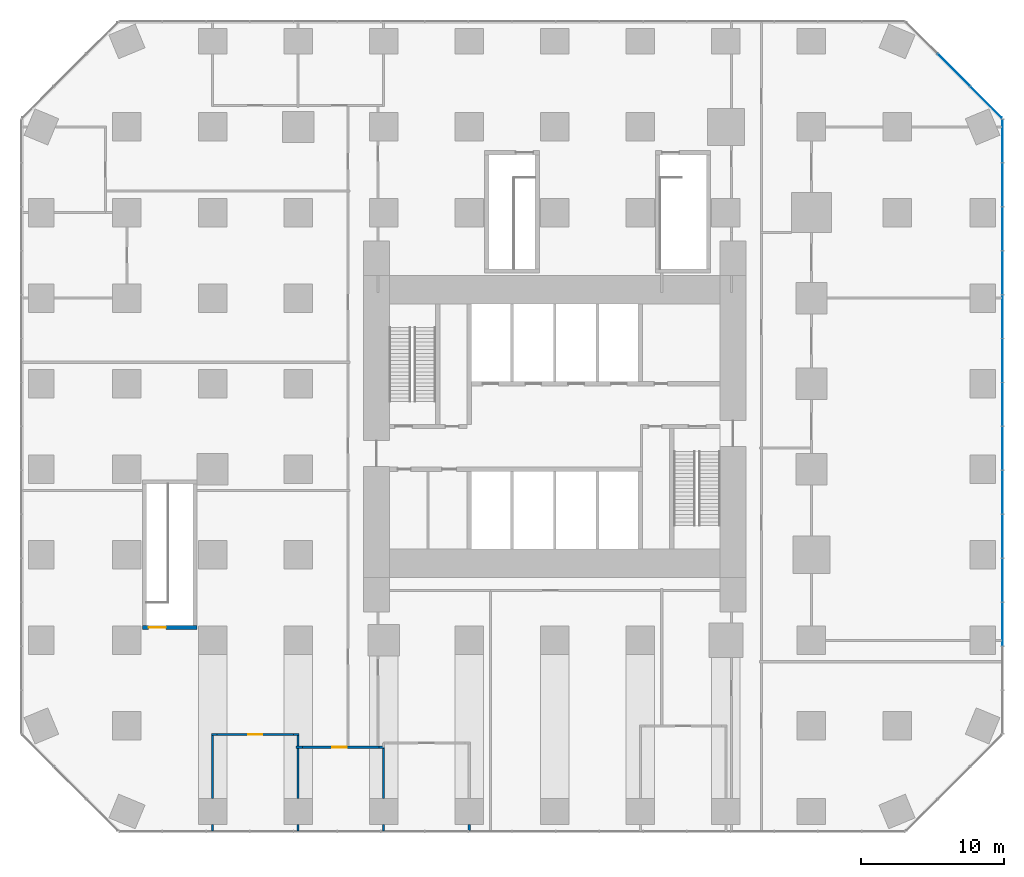
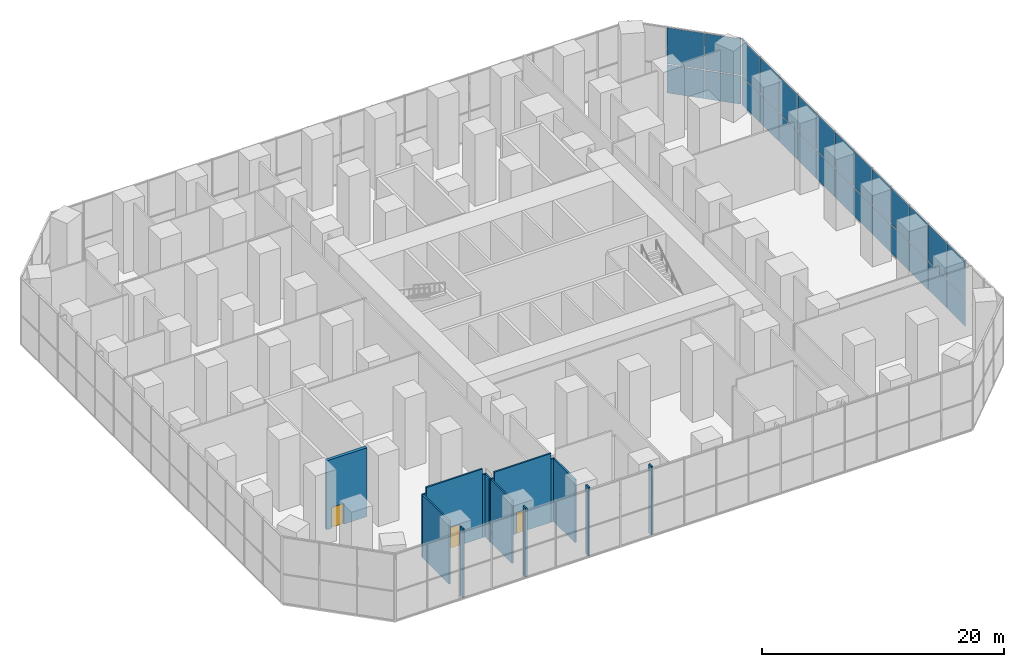
# One storey, part 11 of 16: 28 plates, 15 walls, 3 doors, 3 openings, 2 elements without a shape of their own.
"""IFC4 building model written with IfcOpenShell, lengths in metres."""

from ifc_helpers import new_model, si_unit, direction, frame, frame_2d, origin, origin_2d, place, context, subcontext, project, spatial, rectangle, extrude, material, layer, layer_set, type_object, element, fill, aggregate, save


model = new_model("IFC4")

# Units and contexts
model_context = context("Model", 3, precision=1e-05, world=origin(), true_north=direction((0.0, 1.0)))
body_context = subcontext(model_context, "Body", "Model", "MODEL_VIEW")
ifc_project = project(units=[si_unit("LENGTHUNIT", "METRE"), si_unit("AREAUNIT", "SQUARE_METRE"), si_unit("VOLUMEUNIT", "CUBIC_METRE"), si_unit("PLANEANGLEUNIT", "RADIAN"), si_unit("MASSUNIT", "GRAM", prefix="KILO")], contexts=[model_context])

# Site, building, storey
site_placement = place(None, origin())
site = spatial("IfcSite", under=ifc_project, at=site_placement, CompositionType="ELEMENT")
building_placement = place(site_placement, origin())
building = spatial("IfcBuilding", under=site, at=building_placement, Name="Highveld Stack Headquarters", CompositionType="ELEMENT")
storey_placement = place(building_placement, frame((0.0, 0.0, 11.0)))
storey = spatial("IfcBuildingStorey", under=building, at=storey_placement, Name="L02", CompositionType="ELEMENT", Elevation=11.0)

# Curtain wall, plates
ifc_material_1 = material(Name="Aluminium bronze anodised", Category="aluminium")
ifc_layer_1 = layer(ifc_material_1, 0.199951171875)
ifc_layer_set_1 = layer_set([ifc_layer_1], Name="Aluminium bronze anodised")
curtain_wall_type = type_object("IfcCurtainWallType", Name="CW3 PODIUM STICK CURTAIN WALL", PredefinedType="NOTDEFINED", material=ifc_layer_set_1)
curtain_wall_1_placement = place(storey_placement, origin())
curtain_wall_1 = element("IfcCurtainWall", 1, at=curtain_wall_1_placement, inside=storey, type_object=curtain_wall_type, Name="Curtain wall CW3 L02 E", PredefinedType="NOTDEFINED")
ifc_material_2 = material(Name="Glass clear low-iron double glazed unit", Category="glass")
ifc_layer_2 = layer(ifc_material_2, 0.035888671875)
ifc_layer_set_2 = layer_set([ifc_layer_2], Name="Glass clear low-iron double glazed unit")
plate_type = type_object("IfcPlateType", Name="CW3 PANEL CLEAR LOW-IRON DOUBLE GLAZED UNIT", PredefinedType="CURTAIN_PANEL", material=ifc_layer_set_2)
plate_1_placement = place(storey_placement, frame((37.39990234375, -10.872802734375, 0.099853515625), z_axis=(0.0, 0.0, 1.0), x_axis=(0.0, 1.0, 0.0)))
plate_1 = element("IfcPlate", 2, at=plate_1_placement, type_object=plate_type, Name="CW3 panel L02 3.1", PredefinedType="CURTAIN_PANEL", context=body_context, shape_type="SweptSolid", body=[
    extrude(rectangle(XDim=3.017822265625, YDim=0.035888671875, at=origin_2d()), origin(), (0.0, 0.0, 1.0), 2.85009765625),
])
plate_2_placement = place(storey_placement, frame((37.39990234375, -10.872802734375, 3.050048828125), z_axis=(0.0, 0.0, 1.0), x_axis=(0.0, 1.0, 0.0)))
plate_2 = element("IfcPlate", 3, at=plate_2_placement, type_object=plate_type, Name="CW3 panel L02 3.2", PredefinedType="CURTAIN_PANEL", context=body_context, shape_type="SweptSolid", body=[
    extrude(rectangle(XDim=3.017822265625, YDim=0.035888671875, at=origin_2d()), origin(), (0.0, 0.0, 1.0), 3.64990234375),
])
plate_3_placement = place(storey_placement, frame((37.39990234375, -7.789794921875, 0.099853515625), z_axis=(0.0, 0.0, 1.0), x_axis=(0.0, 1.0, 0.0)))
plate_3 = element("IfcPlate", 4, at=plate_3_placement, type_object=plate_type, Name="CW3 panel L02 4.1", PredefinedType="CURTAIN_PANEL", context=body_context, shape_type="SweptSolid", body=[
    extrude(rectangle(XDim=3.017822265625, YDim=0.035888671875, at=origin_2d()), origin(), (0.0, 0.0, 1.0), 2.85009765625),
])
plate_4_placement = place(storey_placement, frame((37.39990234375, -7.789794921875, 3.050048828125), z_axis=(0.0, 0.0, 1.0), x_axis=(0.0, 1.0, 0.0)))
plate_4 = element("IfcPlate", 5, at=plate_4_placement, type_object=plate_type, Name="CW3 panel L02 4.2", PredefinedType="CURTAIN_PANEL", context=body_context, shape_type="SweptSolid", body=[
    extrude(rectangle(XDim=3.017822265625, YDim=0.035888671875, at=origin_2d()), origin(), (0.0, 0.0, 1.0), 3.64990234375),
])
plate_5_placement = place(storey_placement, frame((37.39990234375, -4.70703125, 0.099853515625), z_axis=(0.0, 0.0, 1.0), x_axis=(0.0, 1.0, 0.0)))
plate_5 = element("IfcPlate", 6, at=plate_5_placement, type_object=plate_type, Name="CW3 panel L02 5.1", PredefinedType="CURTAIN_PANEL", context=body_context, shape_type="SweptSolid", body=[
    extrude(rectangle(XDim=3.017822265625, YDim=0.035888671875, at=origin_2d()), origin(), (0.0, 0.0, 1.0), 2.85009765625),
])
plate_6_placement = place(storey_placement, frame((37.39990234375, -4.70703125, 3.050048828125), z_axis=(0.0, 0.0, 1.0), x_axis=(0.0, 1.0, 0.0)))
plate_6 = element("IfcPlate", 7, at=plate_6_placement, type_object=plate_type, Name="CW3 panel L02 5.2", PredefinedType="CURTAIN_PANEL", context=body_context, shape_type="SweptSolid", body=[
    extrude(rectangle(XDim=3.017822265625, YDim=0.035888671875, at=origin_2d()), origin(), (0.0, 0.0, 1.0), 3.64990234375),
])
plate_7_placement = place(storey_placement, frame((37.39990234375, -1.624267578125, 0.099853515625), z_axis=(0.0, 0.0, 1.0), x_axis=(0.0, 1.0, 0.0)))
plate_7 = element("IfcPlate", 8, at=plate_7_placement, type_object=plate_type, Name="CW3 panel L02 6.1", PredefinedType="CURTAIN_PANEL", context=body_context, shape_type="SweptSolid", body=[
    extrude(rectangle(XDim=3.017822265625, YDim=0.035888671875, at=origin_2d()), origin(), (0.0, 0.0, 1.0), 2.85009765625),
])
plate_8_placement = place(storey_placement, frame((37.39990234375, -1.624267578125, 3.050048828125), z_axis=(0.0, 0.0, 1.0), x_axis=(0.0, 1.0, 0.0)))
plate_8 = element("IfcPlate", 9, at=plate_8_placement, type_object=plate_type, Name="CW3 panel L02 6.2", PredefinedType="CURTAIN_PANEL", context=body_context, shape_type="SweptSolid", body=[
    extrude(rectangle(XDim=3.017822265625, YDim=0.035888671875, at=origin_2d()), origin(), (0.0, 0.0, 1.0), 3.64990234375),
])
plate_9_placement = place(storey_placement, frame((37.39990234375, 1.45849609375, 0.099853515625), z_axis=(0.0, 0.0, 1.0), x_axis=(0.0, 1.0, 0.0)))
plate_9 = element("IfcPlate", 10, at=plate_9_placement, type_object=plate_type, Name="CW3 panel L02 7.1", PredefinedType="CURTAIN_PANEL", context=body_context, shape_type="SweptSolid", body=[
    extrude(rectangle(XDim=3.017822265625, YDim=0.035888671875, at=origin_2d()), origin(), (0.0, 0.0, 1.0), 2.85009765625),
])
plate_10_placement = place(storey_placement, frame((37.39990234375, 1.45849609375, 3.050048828125), z_axis=(0.0, 0.0, 1.0), x_axis=(0.0, 1.0, 0.0)))
plate_10 = element("IfcPlate", 11, at=plate_10_placement, type_object=plate_type, Name="CW3 panel L02 7.2", PredefinedType="CURTAIN_PANEL", context=body_context, shape_type="SweptSolid", body=[
    extrude(rectangle(XDim=3.017822265625, YDim=0.035888671875, at=origin_2d()), origin(), (0.0, 0.0, 1.0), 3.64990234375),
])
plate_11_placement = place(storey_placement, frame((37.39990234375, 4.54150390625, 0.099853515625), z_axis=(0.0, 0.0, 1.0), x_axis=(0.0, 1.0, 0.0)))
plate_11 = element("IfcPlate", 12, at=plate_11_placement, type_object=plate_type, Name="CW3 panel L02 8.1", PredefinedType="CURTAIN_PANEL", context=body_context, shape_type="SweptSolid", body=[
    extrude(rectangle(XDim=3.017822265625, YDim=0.035888671875, at=origin_2d()), origin(), (0.0, 0.0, 1.0), 2.85009765625),
])
plate_12_placement = place(storey_placement, frame((37.39990234375, 4.54150390625, 3.050048828125), z_axis=(0.0, 0.0, 1.0), x_axis=(0.0, 1.0, 0.0)))
plate_12 = element("IfcPlate", 13, at=plate_12_placement, type_object=plate_type, Name="CW3 panel L02 8.2", PredefinedType="CURTAIN_PANEL", context=body_context, shape_type="SweptSolid", body=[
    extrude(rectangle(XDim=3.017822265625, YDim=0.035888671875, at=origin_2d()), origin(), (0.0, 0.0, 1.0), 3.64990234375),
])
plate_13_placement = place(storey_placement, frame((37.39990234375, 7.624267578125, 0.099853515625), z_axis=(0.0, 0.0, 1.0), x_axis=(0.0, 1.0, 0.0)))
plate_13 = element("IfcPlate", 14, at=plate_13_placement, type_object=plate_type, Name="CW3 panel L02 9.1", PredefinedType="CURTAIN_PANEL", context=body_context, shape_type="SweptSolid", body=[
    extrude(rectangle(XDim=3.017822265625, YDim=0.035888671875, at=origin_2d()), origin(), (0.0, 0.0, 1.0), 2.85009765625),
])
plate_14_placement = place(storey_placement, frame((37.39990234375, 7.624267578125, 3.050048828125), z_axis=(0.0, 0.0, 1.0), x_axis=(0.0, 1.0, 0.0)))
plate_14 = element("IfcPlate", 15, at=plate_14_placement, type_object=plate_type, Name="CW3 panel L02 9.2", PredefinedType="CURTAIN_PANEL", context=body_context, shape_type="SweptSolid", body=[
    extrude(rectangle(XDim=3.017822265625, YDim=0.035888671875, at=origin_2d()), origin(), (0.0, 0.0, 1.0), 3.64990234375),
])
plate_15_placement = place(storey_placement, frame((37.39990234375, 10.70703125, 0.099853515625), z_axis=(0.0, 0.0, 1.0), x_axis=(0.0, 1.0, 0.0)))
plate_15 = element("IfcPlate", 16, at=plate_15_placement, type_object=plate_type, Name="CW3 panel L02 10.1", PredefinedType="CURTAIN_PANEL", context=body_context, shape_type="SweptSolid", body=[
    extrude(rectangle(XDim=3.017822265625, YDim=0.035888671875, at=origin_2d()), origin(), (0.0, 0.0, 1.0), 2.85009765625),
])
plate_16_placement = place(storey_placement, frame((37.39990234375, 10.70703125, 3.050048828125), z_axis=(0.0, 0.0, 1.0), x_axis=(0.0, 1.0, 0.0)))
plate_16 = element("IfcPlate", 17, at=plate_16_placement, type_object=plate_type, Name="CW3 panel L02 10.2", PredefinedType="CURTAIN_PANEL", context=body_context, shape_type="SweptSolid", body=[
    extrude(rectangle(XDim=3.017822265625, YDim=0.035888671875, at=origin_2d()), origin(), (0.0, 0.0, 1.0), 3.64990234375),
])
plate_17_placement = place(storey_placement, frame((37.39990234375, 13.7900390625, 0.099853515625), z_axis=(0.0, 0.0, 1.0), x_axis=(0.0, 1.0, 0.0)))
plate_17 = element("IfcPlate", 18, at=plate_17_placement, type_object=plate_type, Name="CW3 panel L02 11.1", PredefinedType="CURTAIN_PANEL", context=body_context, shape_type="SweptSolid", body=[
    extrude(rectangle(XDim=3.017822265625, YDim=0.035888671875, at=origin_2d()), origin(), (0.0, 0.0, 1.0), 2.85009765625),
])
plate_18_placement = place(storey_placement, frame((37.39990234375, 13.7900390625, 3.050048828125), z_axis=(0.0, 0.0, 1.0), x_axis=(0.0, 1.0, 0.0)))
plate_18 = element("IfcPlate", 19, at=plate_18_placement, type_object=plate_type, Name="CW3 panel L02 11.2", PredefinedType="CURTAIN_PANEL", context=body_context, shape_type="SweptSolid", body=[
    extrude(rectangle(XDim=3.017822265625, YDim=0.035888671875, at=origin_2d()), origin(), (0.0, 0.0, 1.0), 3.64990234375),
])
plate_19_placement = place(storey_placement, frame((37.39990234375, 16.872802734375, 0.099853515625), z_axis=(0.0, 0.0, 1.0), x_axis=(0.0, 1.0, 0.0)))
plate_19 = element("IfcPlate", 20, at=plate_19_placement, type_object=plate_type, Name="CW3 panel L02 12.1", PredefinedType="CURTAIN_PANEL", context=body_context, shape_type="SweptSolid", body=[
    extrude(rectangle(XDim=3.017822265625, YDim=0.035888671875, at=origin_2d()), origin(), (0.0, 0.0, 1.0), 2.85009765625),
])
plate_20_placement = place(storey_placement, frame((37.39990234375, 16.872802734375, 3.050048828125), z_axis=(0.0, 0.0, 1.0), x_axis=(0.0, 1.0, 0.0)))
plate_20 = element("IfcPlate", 21, at=plate_20_placement, type_object=plate_type, Name="CW3 panel L02 12.2", PredefinedType="CURTAIN_PANEL", context=body_context, shape_type="SweptSolid", body=[
    extrude(rectangle(XDim=3.017822265625, YDim=0.035888671875, at=origin_2d()), origin(), (0.0, 0.0, 1.0), 3.64990234375),
])
plate_21_placement = place(storey_placement, frame((37.39990234375, 19.95556640625, 0.099853515625), z_axis=(0.0, 0.0, 1.0), x_axis=(0.0, 1.0, 0.0)))
plate_21 = element("IfcPlate", 22, at=plate_21_placement, type_object=plate_type, Name="CW3 panel L02 13.1", PredefinedType="CURTAIN_PANEL", context=body_context, shape_type="SweptSolid", body=[
    extrude(rectangle(XDim=3.017822265625, YDim=0.035888671875, at=origin_2d()), origin(), (0.0, 0.0, 1.0), 2.85009765625),
])
plate_22_placement = place(storey_placement, frame((37.39990234375, 19.95556640625, 3.050048828125), z_axis=(0.0, 0.0, 1.0), x_axis=(0.0, 1.0, 0.0)))
plate_22 = element("IfcPlate", 23, at=plate_22_placement, type_object=plate_type, Name="CW3 panel L02 13.2", PredefinedType="CURTAIN_PANEL", context=body_context, shape_type="SweptSolid", body=[
    extrude(rectangle(XDim=3.017822265625, YDim=0.035888671875, at=origin_2d()), origin(), (0.0, 0.0, 1.0), 3.64990234375),
])
plate_23_placement = place(storey_placement, frame((37.39990234375, 23.022216796875, 0.099853515625), z_axis=(0.0, 0.0, 1.0), x_axis=(0.0, 1.0, 0.0)))
plate_23 = element("IfcPlate", 24, at=plate_23_placement, type_object=plate_type, Name="CW3 panel L02 14.1", PredefinedType="CURTAIN_PANEL", context=body_context, shape_type="SweptSolid", body=[
    extrude(rectangle(XDim=2.9853515625, YDim=0.035888671875, at=origin_2d()), origin(), (0.0, 0.0, 1.0), 2.85009765625),
])
plate_24_placement = place(storey_placement, frame((37.39990234375, 23.022216796875, 3.050048828125), z_axis=(0.0, 0.0, 1.0), x_axis=(0.0, 1.0, 0.0)))
plate_24 = element("IfcPlate", 25, at=plate_24_placement, type_object=plate_type, Name="CW3 panel L02 14.2", PredefinedType="CURTAIN_PANEL", context=body_context, shape_type="SweptSolid", body=[
    extrude(rectangle(XDim=2.9853515625, YDim=0.035888671875, at=origin_2d()), origin(), (0.0, 0.0, 1.0), 3.64990234375),
])
aggregate(curtain_wall_1, [plate_1, plate_2, plate_3, plate_4, plate_5, plate_6, plate_7, plate_8, plate_9, plate_10, plate_11, plate_12, plate_13, plate_14, plate_15, plate_16, plate_17, plate_18, plate_19, plate_20, plate_21, plate_22, plate_23, plate_24])

curtain_wall_2_placement = place(storey_placement, origin())
curtain_wall_2 = element("IfcCurtainWall", 26, at=curtain_wall_2_placement, inside=storey, type_object=curtain_wall_type, Name="Curtain wall CW3 L02 NE", PredefinedType="NOTDEFINED")
plate_25_placement = place(storey_placement, frame((36.239501953125, 25.740478515625, 0.099853515625), z_axis=(0.0, 0.0, 1.0), x_axis=(-0.707106781187, 0.707106781187, 0.0)))
plate_25 = element("IfcPlate", 27, at=plate_25_placement, type_object=plate_type, Name="CW3 panel L02 1.1", PredefinedType="CURTAIN_PANEL", context=body_context, shape_type="SweptSolid", body=[
    extrude(rectangle(XDim=3.08251953125, YDim=0.035888671875, at=origin_2d()), origin(), (0.0, 0.0, 1.0), 2.85009765625),
])
plate_26_placement = place(storey_placement, frame((36.239501953125, 25.740478515625, 3.050048828125), z_axis=(0.0, 0.0, 1.0), x_axis=(-0.707106781187, 0.707106781187, 0.0)))
plate_26 = element("IfcPlate", 28, at=plate_26_placement, type_object=plate_type, Name="CW3 panel L02 1.2", PredefinedType="CURTAIN_PANEL", context=body_context, shape_type="SweptSolid", body=[
    extrude(rectangle(XDim=3.08251953125, YDim=0.035888671875, at=origin_2d()), origin(), (0.0, 0.0, 1.0), 3.64990234375),
])
plate_27_placement = place(storey_placement, frame((33.989990234375, 27.989990234375, 0.099853515625), z_axis=(0.0, 0.0, 1.0), x_axis=(-0.707106781187, 0.707106781187, 0.0)))
plate_27 = element("IfcPlate", 29, at=plate_27_placement, type_object=plate_type, Name="CW3 panel L02 2.1", PredefinedType="CURTAIN_PANEL", context=body_context, shape_type="SweptSolid", body=[
    extrude(rectangle(XDim=3.14990234375, YDim=0.035888671875, at=origin_2d()), origin(), (0.0, 0.0, 1.0), 2.85009765625),
])
plate_28_placement = place(storey_placement, frame((33.989990234375, 27.989990234375, 3.050048828125), z_axis=(0.0, 0.0, 1.0), x_axis=(-0.707106781187, 0.707106781187, 0.0)))
plate_28 = element("IfcPlate", 30, at=plate_28_placement, type_object=plate_type, Name="CW3 panel L02 2.2", PredefinedType="CURTAIN_PANEL", context=body_context, shape_type="SweptSolid", body=[
    extrude(rectangle(XDim=3.14990234375, YDim=0.035888671875, at=origin_2d()), origin(), (0.0, 0.0, 1.0), 3.64990234375),
])
aggregate(curtain_wall_2, [plate_25, plate_26, plate_27, plate_28])

# Wall
ifc_material_3 = material(Name="Laminated glass in aluminium frame", Category="aluminium")
ifc_layer_3 = layer(ifc_material_3, 0.14990234375)
ifc_layer_set_3 = layer_set([ifc_layer_3], Name="Laminated glass in aluminium frame")
wall_type_1 = type_object("IfcWallType", Name="GLAZED PARTITION 150", PredefinedType="PARTITIONING", material=ifc_layer_set_3)
wall_1_placement = place(storey_placement, frame((-18.074951171875, -18.60009765625, 0.0), z_axis=(0.0, 0.0, 1.0), x_axis=(1.0, 0.0, 0.0)))
element("IfcWall", 31, at=wall_1_placement, inside=storey, type_object=wall_type_1, Name="Glazed partition Video conference room L02", PredefinedType="PARTITIONING", context=body_context, shape_type="SweptSolid", body=[
    extrude(rectangle(XDim=0.385009765625, YDim=0.14990234375, at=frame_2d((0.1923828125, 0.0))), origin(), (0.0, 0.0, 1.0), 6.35009765625),
])

# Wall, opening, door
wall_2_placement = place(storey_placement, frame((-17.68994140625, -18.60009765625, 0.0), z_axis=(0.0, 0.0, 1.0), x_axis=(1.0, 0.0, 0.0)))
wall_2 = element("IfcWall", 32, at=wall_2_placement, inside=storey, type_object=wall_type_1, Name="Glazed partition Video conference room L02", PredefinedType="PARTITIONING", context=body_context, shape_type="SweptSolid", body=[
    extrude(rectangle(XDim=5.3798828125, YDim=0.14990234375, at=frame_2d((2.68994140625, 0.0))), origin(), (0.0, 0.0, 1.0), 6.949951171875),
])
opening_1_placement = place(wall_2_placement, frame((2.18994140625, 0.0, 0.0)))
opening_1 = element("IfcOpeningElement", 33, at=opening_1_placement, cuts=wall_2, Name="Opening L02-17", PredefinedType="OPENING", context=body_context, shape_type="SweptSolid", body=[
    extrude(rectangle(XDim=1.0, YDim=2.10009765625, at=frame_2d((0.5, 1.050048828125))), frame((0.0, 0.0849609375, 0.0), z_axis=(0.0, -1.0, 0.0), x_axis=(1.0, 0.0, 0.0)), (0.0, 0.0, 1.0), 0.169921875),
])
ifc_material_4 = material(Name="Timber door, oiled ash", Category="wood")
door_type_1 = type_object("IfcDoorType", Name="ROOM DOOR D6 1000x2100", OperationType="SINGLE_SWING_LEFT", PredefinedType="DOOR", material=ifc_material_4)
door_1_placement = place(opening_1_placement, origin())
door_1 = element("IfcDoor", 34, at=door_1_placement, inside=storey, type_object=door_type_1, Name="Video conference room door 1 L02", OperationType="SINGLE_SWING_LEFT", OverallHeight=2.10009765625, OverallWidth=1.0, PredefinedType="DOOR", context=body_context, shape_type="SweptSolid", body=[
    extrude(rectangle(XDim=1.0, YDim=2.10009765625, at=frame_2d((0.5, 1.050048828125))), frame((0.0, 0.02490234375, 0.0), z_axis=(0.0, -1.0, 0.0), x_axis=(1.0, 0.0, 0.0)), (0.0, 0.0, 1.0), 0.050048828125),
])
fill(opening_1, door_1)

# Walls
wall_3_placement = place(storey_placement, frame((-12.31005859375, -18.60009765625, 0.0), z_axis=(0.0, 0.0, 1.0), x_axis=(1.0, 0.0, 0.0)))
element("IfcWall", 35, at=wall_3_placement, inside=storey, type_object=wall_type_1, Name="Glazed partition Video conference room L02", PredefinedType="PARTITIONING", context=body_context, shape_type="SweptSolid", body=[
    extrude(rectangle(XDim=0.385009765625, YDim=0.14990234375, at=frame_2d((0.1923828125, 0.0))), origin(), (0.0, 0.0, 1.0), 6.35009765625),
])
ifc_material_5 = material(Name="Gypsum plasterboard on steel studs", Category="steel")
ifc_layer_4 = layer(ifc_material_5, 0.14990234375)
ifc_layer_set_4 = layer_set([ifc_layer_4], Name="Gypsum plasterboard on steel studs")
wall_type_2 = type_object("IfcWallType", Name="PARTITION 150 PLASTERBOARD", PredefinedType="PARTITIONING", material=ifc_layer_set_4)
wall_4_placement = place(storey_placement, frame((-12.14990234375, -19.5, 0.0), z_axis=(0.0, 0.0, 1.0), x_axis=(1.0, 0.0, 0.0)))
element("IfcWall", 36, at=wall_4_placement, inside=storey, type_object=wall_type_2, Name="Partition Quiet room L02", PredefinedType="PARTITIONING", context=body_context, shape_type="SweptSolid", body=[
    extrude(rectangle(XDim=0.4599609375, YDim=0.14990234375, at=frame_2d((0.22998046875, 0.0))), origin(), (0.0, 0.0, 1.0), 6.35009765625),
])

# Wall, opening, door
wall_5_placement = place(storey_placement, frame((-11.68994140625, -19.5, 0.0), z_axis=(0.0, 0.0, 1.0), x_axis=(1.0, 0.0, 0.0)))
wall_5 = element("IfcWall", 37, at=wall_5_placement, inside=storey, type_object=wall_type_2, Name="Partition Quiet room L02", PredefinedType="PARTITIONING", context=body_context, shape_type="SweptSolid", body=[
    extrude(rectangle(XDim=5.3798828125, YDim=0.14990234375, at=frame_2d((2.68994140625, 0.0))), origin(), (0.0, 0.0, 1.0), 6.949951171875),
])
opening_2_placement = place(wall_5_placement, frame((2.10009765625, 0.0, 0.0)))
opening_2 = element("IfcOpeningElement", 38, at=opening_2_placement, cuts=wall_5, Name="Opening L02-18", PredefinedType="OPENING", context=body_context, shape_type="SweptSolid", body=[
    extrude(rectangle(XDim=1.0, YDim=2.10009765625, at=frame_2d((0.5, 1.050048828125))), frame((0.0, 0.0849609375, 0.0), z_axis=(0.0, -1.0, 0.0), x_axis=(1.0, 0.0, 0.0)), (0.0, 0.0, 1.0), 0.169921875),
])
door_2_placement = place(opening_2_placement, origin())
door_2 = element("IfcDoor", 39, at=door_2_placement, inside=storey, type_object=door_type_1, Name="Quiet room door 1 L02", OperationType="SINGLE_SWING_LEFT", OverallHeight=2.10009765625, OverallWidth=1.0, PredefinedType="DOOR", context=body_context, shape_type="SweptSolid", body=[
    extrude(rectangle(XDim=1.0, YDim=2.10009765625, at=frame_2d((0.5, 1.050048828125))), frame((0.0, 0.02490234375, 0.0), z_axis=(0.0, -1.0, 0.0), x_axis=(1.0, 0.0, 0.0)), (0.0, 0.0, 1.0), 0.050048828125),
])
fill(opening_2, door_2)

# Walls
wall_6_placement = place(storey_placement, frame((-6.31005859375, -19.5, 0.0), z_axis=(0.0, 0.0, 1.0), x_axis=(1.0, 0.0, 0.0)))
element("IfcWall", 40, at=wall_6_placement, inside=storey, type_object=wall_type_2, Name="Partition Quiet room L02", PredefinedType="PARTITIONING", context=body_context, shape_type="SweptSolid", body=[
    extrude(rectangle(XDim=0.385009765625, YDim=0.14990234375, at=frame_2d((0.1923828125, 0.0))), origin(), (0.0, 0.0, 1.0), 6.35009765625),
])
wall_7_placement = place(storey_placement, frame((-18.0, -25.375, 0.0), z_axis=(0.0, 0.0, 1.0), x_axis=(0.0, 1.0, 0.0)))
element("IfcWall", 41, at=wall_7_placement, inside=storey, type_object=wall_type_2, Name="Partition Video conference room L02", PredefinedType="PARTITIONING", context=body_context, shape_type="SweptSolid", body=[
    extrude(rectangle(XDim=0.47509765625, YDim=0.14990234375, at=frame_2d((0.237548828125, 0.0))), origin(), (0.0, 0.0, 1.0), 6.949951171875),
])
wall_8_placement = place(storey_placement, frame((-18.0, -23.10009765625, 0.0), z_axis=(0.0, 0.0, 1.0), x_axis=(0.0, 1.0, 0.0)))
element("IfcWall", 42, at=wall_8_placement, inside=storey, type_object=wall_type_2, Name="Partition Video conference room L02", PredefinedType="PARTITIONING", context=body_context, shape_type="SweptSolid", body=[
    extrude(rectangle(XDim=4.425048828125, YDim=0.14990234375, at=frame_2d((2.21240234375, 0.0))), origin(), (0.0, 0.0, 1.0), 6.35009765625),
])
wall_9_placement = place(storey_placement, frame((-12.0, -25.375, 0.0), z_axis=(0.0, 0.0, 1.0), x_axis=(0.0, 1.0, 0.0)))
element("IfcWall", 43, at=wall_9_placement, inside=storey, type_object=wall_type_2, Name="Partition Quiet room / Video conference room L02", PredefinedType="PARTITIONING", context=body_context, shape_type="SweptSolid", body=[
    extrude(rectangle(XDim=0.47509765625, YDim=0.14990234375, at=frame_2d((0.237548828125, 0.0))), origin(), (0.0, 0.0, 1.0), 6.949951171875),
])
wall_10_placement = place(storey_placement, frame((-12.0, -23.10009765625, 0.0), z_axis=(0.0, 0.0, 1.0), x_axis=(0.0, 1.0, 0.0)))
element("IfcWall", 44, at=wall_10_placement, inside=storey, type_object=wall_type_2, Name="Partition Quiet room / Video conference room L02", PredefinedType="PARTITIONING", context=body_context, shape_type="SweptSolid", body=[
    extrude(rectangle(XDim=3.525146484375, YDim=0.14990234375, at=frame_2d((1.7626953125, 0.0))), origin(), (0.0, 0.0, 1.0), 6.35009765625),
])
wall_11_placement = place(storey_placement, frame((-12.0, -19.425048828125, 0.0), z_axis=(0.0, 0.0, 1.0), x_axis=(0.0, 1.0, 0.0)))
element("IfcWall", 45, at=wall_11_placement, inside=storey, type_object=wall_type_2, Name="Partition Video conference room L02", PredefinedType="PARTITIONING", context=body_context, shape_type="SweptSolid", body=[
    extrude(rectangle(XDim=0.75, YDim=0.14990234375, at=frame_2d((0.375, 0.0))), origin(), (0.0, 0.0, 1.0), 6.35009765625),
])
wall_12_placement = place(storey_placement, frame((-6.0, -25.375, 0.0), z_axis=(0.0, 0.0, 1.0), x_axis=(0.0, 1.0, 0.0)))
element("IfcWall", 46, at=wall_12_placement, inside=storey, type_object=wall_type_2, Name="Partition Quiet room / Tea kitchen L02", PredefinedType="PARTITIONING", context=body_context, shape_type="SweptSolid", body=[
    extrude(rectangle(XDim=0.47509765625, YDim=0.14990234375, at=frame_2d((0.237548828125, 0.0))), origin(), (0.0, 0.0, 1.0), 6.949951171875),
])
wall_13_placement = place(storey_placement, frame((-6.0, -23.10009765625, 0.0), z_axis=(0.0, 0.0, 1.0), x_axis=(0.0, 1.0, 0.0)))
element("IfcWall", 47, at=wall_13_placement, inside=storey, type_object=wall_type_2, Name="Partition Quiet room / Tea kitchen L02", PredefinedType="PARTITIONING", context=body_context, shape_type="SweptSolid", body=[
    extrude(rectangle(XDim=3.525146484375, YDim=0.14990234375, at=frame_2d((1.7626953125, 0.0))), origin(), (0.0, 0.0, 1.0), 6.35009765625),
])
wall_14_placement = place(storey_placement, frame((0.0, -25.35009765625, 0.0), z_axis=(0.0, 0.0, 1.0), x_axis=(0.0, 1.0, 0.0)))
element("IfcWall", 48, at=wall_14_placement, inside=storey, type_object=wall_type_2, Name="Partition Tea kitchen L02", PredefinedType="PARTITIONING", context=body_context, shape_type="SweptSolid", body=[
    extrude(rectangle(XDim=0.4501953125, YDim=0.14990234375, at=frame_2d((0.22509765625, 0.0))), origin(), (0.0, 0.0, 1.0), 6.949951171875),
])

# Wall, opening, door
ifc_material_6 = material(Name="Concrete blockwork, plastered", Category="masonry")
ifc_layer_5 = layer(ifc_material_6, 0.300048828125)
ifc_layer_set_5 = layer_set([ifc_layer_5], Name="Concrete blockwork, plastered")
wall_type_3 = type_object("IfcWallType", Name="STAIR ENCLOSURE HEAD WALL 300 BLOCKWORK", PredefinedType="PARTITIONING", material=ifc_layer_set_5)
wall_15_placement = place(storey_placement, frame((-22.925048828125, -11.10009765625, 0.0), z_axis=(0.0, 0.0, 1.0), x_axis=(1.0, 0.0, 0.0)))
wall_15 = element("IfcWall", 49, at=wall_15_placement, inside=storey, type_object=wall_type_3, Name="Stair PS1 enclosure S L02", PredefinedType="PARTITIONING", context=body_context, shape_type="SweptSolid", body=[
    extrude(rectangle(XDim=3.85009765625, YDim=0.300048828125, at=frame_2d((1.925048828125, 0.0))), origin(), (0.0, 0.0, 1.0), 6.949951171875),
])
opening_3_placement = place(wall_15_placement, frame((0.449951171875, 0.0, 0.0)))
opening_3 = element("IfcOpeningElement", 50, at=opening_3_placement, cuts=wall_15, Name="Opening L02-10", PredefinedType="OPENING", context=body_context, shape_type="SweptSolid", body=[
    extrude(rectangle(XDim=1.199951171875, YDim=2.10009765625, at=frame_2d((0.60009765625, 1.050048828125))), frame((0.0, 0.159912109375, 0.0), z_axis=(0.0, -1.0, 0.0), x_axis=(1.0, 0.0, 0.0)), (0.0, 0.0, 1.0), 0.320068359375),
])
ifc_material_7 = material(Name="Steel fire door", Category="steel")
door_type_2 = type_object("IfcDoorType", Name="STAIR FIRE DOOR D3 1200x2100", OperationType="SINGLE_SWING_LEFT", PredefinedType="DOOR", material=ifc_material_7)
door_3_placement = place(opening_3_placement, origin())
door_3 = element("IfcDoor", 51, at=door_3_placement, inside=storey, type_object=door_type_2, Name="Stair PS1 door L02", OperationType="SINGLE_SWING_LEFT", OverallHeight=2.10009765625, OverallWidth=1.199951171875, PredefinedType="DOOR", context=body_context, shape_type="SweptSolid", body=[
    extrude(rectangle(XDim=1.199951171875, YDim=2.10009765625, at=frame_2d((0.60009765625, 1.050048828125))), frame((0.0, 0.02490234375, 0.0), z_axis=(0.0, -1.0, 0.0), x_axis=(1.0, 0.0, 0.0)), (0.0, 0.0, 1.0), 0.050048828125),
])
fill(opening_3, door_3)

save(model, "model.ifc")
